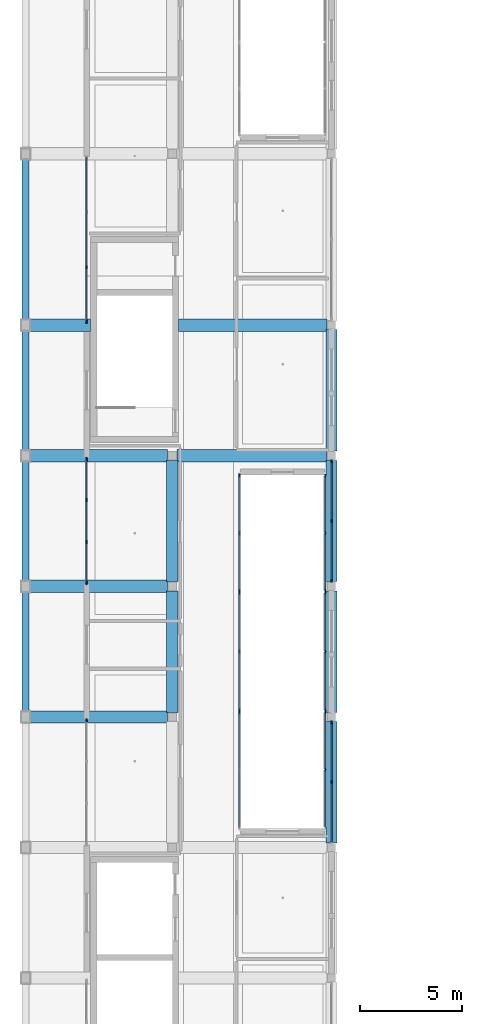
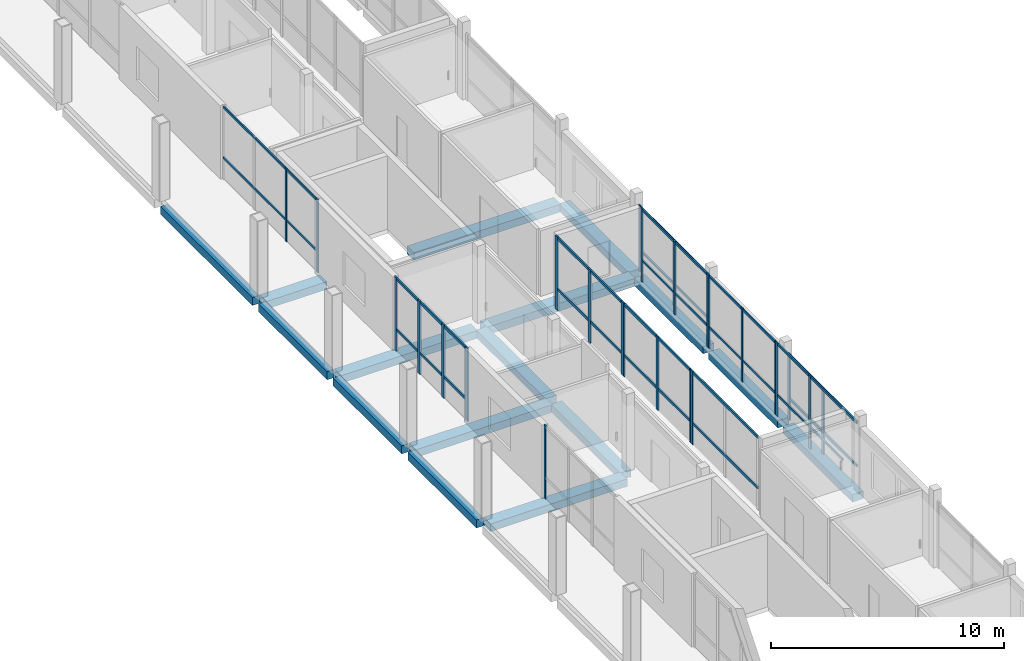
# One storey, part 3 of 24: 47 members, 16 beams, 11 elements without a shape of their own.
"""IFC4 building model written with IfcOpenShell, lengths in metres."""

import ifcopenshell
import ifcopenshell.guid

model = None  # the IFC model being written
_history = None  # IfcOwnerHistory: only IFC2X3 demands one
_inside = {}  # id of a spatial element -> (the spatial element, [elements in it])
_under = {}  # id of a project, library or spatial element -> (it, [spatial elements below it])
_declared = {}  # id of a project -> (the project, [libraries it declares])
_typed = {}  # id of a type object -> (the type object, [elements of that type])
_made_of = {}  # id of a material, layer set ... -> (it, [elements and type objects made of it])


def new_model(schema):
    """Start an empty IFC model of exactly this schema.

    Asked for "IFC4X3", IfcOpenShell would pick the latest addendum, in which some entities
    have other attributes; the version numbers below select the first issue.
    IFC2X3 requires an IfcOwnerHistory on every rooted entity: one is made here for all.
    """
    global model, _history
    if schema == "IFC4X3":
        model = ifcopenshell.file(schema_version=(4, 3, 0, 0))
    else:
        model = ifcopenshell.file(schema=schema)
    _inside.clear()
    _under.clear()
    _declared.clear()
    _typed.clear()
    _made_of.clear()
    _history = None
    if model.schema == "IFC2X3":
        org = make("IfcOrganization", Name="unknown")
        user = make(
            "IfcPersonAndOrganization",
            ThePerson=make("IfcPerson", FamilyName="unknown"),
            TheOrganization=org,
        )
        app = make(
            "IfcApplication",
            ApplicationDeveloper=org,
            Version="unknown",
            ApplicationFullName="unknown",
            ApplicationIdentifier="unknown",
        )
        _history = make(
            "IfcOwnerHistory",
            OwningUser=user,
            OwningApplication=app,
            ChangeAction="ADDED",
            CreationDate=0,
        )
    return model


def make(cls, **values):
    """One entity of the class cls with the attributes given. An attribute that is None is left unset."""
    return model.create_entity(
        cls, **{name: value for name, value in values.items() if value is not None}
    )


def rooted(cls, **values):
    """An entity with a GlobalId (a new one), such as an element, a storey or a relation."""
    return make(cls, GlobalId=ifcopenshell.guid.new(), OwnerHistory=_history, **values)


def si_unit(unit_type, name, prefix=None):
    """IfcSIUnit, for example si_unit("LENGTHUNIT", "METRE", prefix="MILLI")."""
    return make("IfcSIUnit", UnitType=unit_type, Prefix=prefix, Name=name)


def derived_unit(unit_type, elements):
    """IfcDerivedUnit: a product of units, each with its exponent."""
    return make(
        "IfcDerivedUnit",
        Elements=[
            make("IfcDerivedUnitElement", Unit=unit, Exponent=power)
            for unit, power in elements
        ],
        UnitType=unit_type,
    )


def assignment(units):
    """IfcUnitAssignment: the units of a project."""
    return None if units is None else make("IfcUnitAssignment", Units=units)


def point(xyz):
    """IfcCartesianPoint."""
    return None if xyz is None else make("IfcCartesianPoint", Coordinates=xyz)


def direction(xyz):
    """IfcDirection."""
    return None if xyz is None else make("IfcDirection", DirectionRatios=xyz)


def frame(location, z_axis=None, x_axis=None):
    """IfcAxis2Placement3D, a coordinate frame: its origin and axes. An axis left out is left unset."""
    return make(
        "IfcAxis2Placement3D",
        Location=point(location),
        Axis=direction(z_axis),
        RefDirection=direction(x_axis),
    )


def frame_2d(location, x_axis=None):
    """IfcAxis2Placement2D, a coordinate frame in the plane: its origin and x axis."""
    return make(
        "IfcAxis2Placement2D", Location=point(location), RefDirection=direction(x_axis)
    )


def origin():
    """The frame at (0, 0, 0) with its axes left unset."""
    return frame((0.0, 0.0, 0.0))


def origin_2d():
    """The frame at (0, 0) in the plane with its x axis left unset."""
    return frame_2d((0.0, 0.0))


def place(relative_to, where):
    """IfcLocalPlacement: puts the frame where relative to a parent placement (None: the world)."""
    return make(
        "IfcLocalPlacement", PlacementRelTo=relative_to, RelativePlacement=where
    )


def context(
    kind, dimensions, precision=None, world=None, true_north=None, identifier=None
):
    """IfcGeometricRepresentationContext, for example the 3D "Model" context."""
    return make(
        "IfcGeometricRepresentationContext",
        ContextIdentifier=identifier,
        ContextType=kind,
        CoordinateSpaceDimension=dimensions,
        Precision=precision,
        WorldCoordinateSystem=world,
        TrueNorth=true_north,
    )


def subcontext(parent, identifier, kind, view, scale=None):
    """IfcGeometricRepresentationSubContext, for example "Body" below "Model"."""
    return make(
        "IfcGeometricRepresentationSubContext",
        ContextIdentifier=identifier,
        ContextType=kind,
        ParentContext=parent,
        TargetScale=scale,
        TargetView=view,
    )


def project(units=None, contexts=None):
    """IfcProject with its units and contexts."""
    return rooted(
        "IfcProject",
        Name="project",
        RepresentationContexts=contexts,
        UnitsInContext=assignment(units),
    )


def spatial(cls, under=None, at=None, **own):
    """A site, building, storey or space (cls), placed at a placement, below another one or the project."""
    s = rooted(cls, ObjectPlacement=at, **own)
    if under is not None:
        _under.setdefault(under.id(), (under, []))[1].append(s)
    return s


def profile(cls, at=None, kind="AREA", **sizes):
    """A parametric profile (cls). Its sizes go by their IFC names, for example OverallWidth=200.0."""
    return make(cls, ProfileType=kind, Position=at, **sizes)


def rectangle(**sizes):
    """IfcRectangleProfileDef."""
    return profile("IfcRectangleProfileDef", **sizes)


def extrude(swept, where, along, depth):
    """IfcExtrudedAreaSolid: the profile swept, set in the frame where, extruded along a direction by depth."""
    return make(
        "IfcExtrudedAreaSolid",
        SweptArea=swept,
        Position=where,
        ExtrudedDirection=direction(along),
        Depth=depth,
    )


def shape(context_of_items, identifier, shape_type, items):
    """IfcShapeRepresentation: the items that make up one representation, for example the "Body"."""
    return make(
        "IfcShapeRepresentation",
        ContextOfItems=context_of_items,
        RepresentationIdentifier=identifier,
        RepresentationType=shape_type,
        Items=items,
    )


def material(Name=None, Category=None):
    """IfcMaterial."""
    return make("IfcMaterial", Name=Name, Category=Category)


def material_profile(
    of_material, cross_section, Name=None, Category=None, Priority=None
):
    """IfcMaterialProfile: a cross section and its material."""
    return make(
        "IfcMaterialProfile",
        Name=Name,
        Material=of_material,
        Profile=cross_section,
        Priority=Priority,
        Category=Category,
    )


def profile_set(profiles, Name=None, composite=None):
    """IfcMaterialProfileSet."""
    return make(
        "IfcMaterialProfileSet",
        Name=Name,
        MaterialProfiles=profiles,
        CompositeProfile=composite,
    )


def made_of(thing, what):
    """Note that an element or type object is made of a material, layer set ...; save() writes the relation."""
    if what is not None:
        _made_of.setdefault(what.id(), (what, []))[1].append(thing)
    return thing


def type_object(cls, material=None, **own):
    """A type object (cls), such as IfcWallType, which elements share."""
    return made_of(rooted(cls, **own), material)


def element(
    cls,
    number,
    at=None,
    inside=None,
    cuts=None,
    type_object=None,
    material=None,
    context=None,
    identifier="Body",
    shape_type=None,
    held_by="IfcProductDefinitionShape",
    body=None,
    shapes=None,
    **own,
):
    """One element of the class cls, such as IfcWall. Its Tag is "e" and its number.

    at: its placement. inside: the storey or other place that contains it. cuts: it is an
    opening in that element (IfcRelVoidsElement). A single representation is given by context,
    identifier, shape_type and body (its items); several are given by shapes. held_by: the class
    of the entity that holds the representations. save() writes the other relations.
    """
    e = rooted(cls, Tag="e%d" % number, ObjectPlacement=at, **own)
    if body is not None:
        shapes = [shape(context, identifier, shape_type, body)]
    if shapes is not None:
        e.Representation = make(held_by, Representations=shapes)
    if inside is not None:
        _inside.setdefault(inside.id(), (inside, []))[1].append(e)
    if cuts is not None:
        rooted(
            "IfcRelVoidsElement", RelatingBuildingElement=cuts, RelatedOpeningElement=e
        )
    if type_object is not None:
        _typed.setdefault(type_object.id(), (type_object, []))[1].append(e)
    return made_of(e, material)


def aggregate(whole, parts):
    """IfcRelAggregates: a whole, such as a stair, and the parts it consists of."""
    return rooted("IfcRelAggregates", RelatingObject=whole, RelatedObjects=parts)


def save(model, path):
    """Write the relations noted so far, then the file.

    IfcRelAggregates (storeys below a building ...), IfcRelContainedInSpatialStructure (elements
    in a storey), IfcRelDefinesByType, IfcRelAssociatesMaterial and IfcRelDeclares: one each for
    every whole, place, type object, material and project.
    """
    for whole, parts in _under.values():
        aggregate(whole, parts)
    for where, things in _inside.values():
        rooted(
            "IfcRelContainedInSpatialStructure",
            RelatedElements=things,
            RelatingStructure=where,
        )
    for kind, things in _typed.values():
        rooted("IfcRelDefinesByType", RelatedObjects=things, RelatingType=kind)
    for what, things in _made_of.values():
        rooted("IfcRelAssociatesMaterial", RelatedObjects=things, RelatingMaterial=what)
    for by, libraries in _declared.values():
        rooted("IfcRelDeclares", RelatingContext=by, RelatedDefinitions=libraries)
    model.write(path)


model = new_model("IFC4")

# Units and contexts
model_context = context("Model", 3, precision=1e-05, world=origin(), true_north=direction((0.0, 1.0)))
body_context = subcontext(model_context, "Body", "Model", "MODEL_VIEW")
ifc_project = project(units=[si_unit("LENGTHUNIT", "METRE"), si_unit("AREAUNIT", "SQUARE_METRE"), si_unit("VOLUMEUNIT", "CUBIC_METRE"), si_unit("PLANEANGLEUNIT", "RADIAN"), si_unit("MASSUNIT", "GRAM", prefix="KILO"), derived_unit("THERMALTRANSMITTANCEUNIT", [(si_unit("POWERUNIT", "WATT"), 1), (si_unit("LENGTHUNIT", "METRE"), -2), (si_unit("THERMODYNAMICTEMPERATUREUNIT", "KELVIN"), -1)])], contexts=[model_context])

# Site, building, storey
site_placement = place(None, origin())
site = spatial("IfcSite", under=ifc_project, at=site_placement, CompositionType="ELEMENT")
building_placement = place(site_placement, origin())
building = spatial("IfcBuilding", under=site, at=building_placement, Name="Braskholm Square Health Centre", CompositionType="ELEMENT")
storey_placement = place(building_placement, frame((0.0, 0.0, 21.60009765625)))
storey = spatial("IfcBuildingStorey", under=building, at=storey_placement, Name="L06", CompositionType="ELEMENT", Elevation=21.60009765625)

# Curtain wall, member
ifc_material_1 = material(Name="Low-E triple insulating glass (VLT 0.64)", Category="glass")
curtain_wall_type_1 = type_object("IfcCurtainWallType", Name="UnitisedCurtainWall6200x3800", PredefinedType="NOTDEFINED", material=ifc_material_1)
curtain_wall_1_placement = place(storey_placement, origin())
curtain_wall_1 = element("IfcCurtainWall", 1, at=curtain_wall_1_placement, inside=storey, type_object=curtain_wall_type_1, Name="West Crown unitised curtain wall CW-L06-0040", PredefinedType="NOTDEFINED")
ifc_material_2 = material(Name="Architectural bronze anodised aluminium", Category="aluminium")
ifc_material_profile_1 = material_profile(ifc_material_2, rectangle(XDim=0.06494140625, YDim=0.14990234375, at=origin_2d()), Name="ALU-65X150")
ifc_profile_set_1 = profile_set([ifc_material_profile_1], Name="Architectural bronze anodised aluminium")
member_type_1 = type_object("IfcMemberType", Name="CurtainWallMullion65x150", PredefinedType="MULLION", material=ifc_profile_set_1)
member_1_placement = place(storey_placement, frame((7.199951171875, 36.04296875, 0.0), z_axis=(0.0, 0.0, 1.0), x_axis=(1.0, 0.0, 0.0)))
member_1 = element("IfcMember", 2, at=member_1_placement, type_object=member_type_1, Name="CW-L06-0040 vertical mullion 1", PredefinedType="MULLION", context=body_context, shape_type="SweptSolid", body=[
    extrude(rectangle(XDim=0.06494140625, YDim=0.14990234375, at=origin_2d()), origin(), (0.0, 0.0, 1.0), 3.83984375),
])
aggregate(curtain_wall_1, [member_1])

# Curtain wall, members
curtain_wall_2_placement = place(storey_placement, origin())
curtain_wall_2 = element("IfcCurtainWall", 3, at=curtain_wall_2_placement, inside=storey, type_object=curtain_wall_type_1, Name="West Crown unitised curtain wall CW-L06-0042", PredefinedType="NOTDEFINED")
member_2_placement = place(storey_placement, frame((7.199951171875, 58.239990234375, 0.0), z_axis=(0.0, 0.0, 1.0), x_axis=(1.0, 0.0, 0.0)))
member_2 = element("IfcMember", 4, at=member_2_placement, type_object=member_type_1, Name="CW-L06-0042 vertical mullion 3", PredefinedType="MULLION", context=body_context, shape_type="SweptSolid", body=[
    extrude(rectangle(XDim=0.06494140625, YDim=0.14990234375, at=origin_2d()), origin(), (0.0, 0.0, 1.0), 3.83984375),
])
member_3_placement = place(storey_placement, frame((7.199951171875, 55.569091796875, 0.0), z_axis=(0.0, 0.0, 1.0), x_axis=(1.0, 0.0, 0.0)))
member_3 = element("IfcMember", 5, at=member_3_placement, type_object=member_type_1, Name="CW-L06-0042 vertical mullion 4", PredefinedType="MULLION", context=body_context, shape_type="SweptSolid", body=[
    extrude(rectangle(XDim=0.06494140625, YDim=0.14990234375, at=origin_2d()), origin(), (0.0, 0.0, 1.0), 3.83984375),
])

curtain_wall_type_2 = type_object("IfcCurtainWallType", Name="UnitisedCurtainWall6200x3650", PredefinedType="NOTDEFINED", material=ifc_material_1)
curtain_wall_3_placement = place(storey_placement, origin())
curtain_wall_3 = element("IfcCurtainWall", 6, at=curtain_wall_3_placement, inside=storey, type_object=curtain_wall_type_2, Name="West Valley unitised curtain wall CW-L06-0112", PredefinedType="NOTDEFINED")
member_4_placement = place(storey_placement, frame((19.199951171875, 42.87548828125, 0.0), z_axis=(0.0, 0.0, 1.0), x_axis=(1.0, 0.0, 0.0)))
member_4 = element("IfcMember", 7, at=member_4_placement, type_object=member_type_1, Name="CW-L06-0112 vertical mullion 1", PredefinedType="MULLION", context=body_context, shape_type="SweptSolid", body=[
    extrude(rectangle(XDim=0.06494140625, YDim=0.14990234375, at=origin_2d()), origin(), (0.0, 0.0, 1.0), 3.4599609375),
])
member_5_placement = place(storey_placement, frame((19.199951171875, 45.800048828125, 0.0), z_axis=(0.0, 0.0, 1.0), x_axis=(1.0, 0.0, 0.0)))
member_5 = element("IfcMember", 8, at=member_5_placement, type_object=member_type_1, Name="CW-L06-0112 vertical mullion 2", PredefinedType="MULLION", context=body_context, shape_type="SweptSolid", body=[
    extrude(rectangle(XDim=0.06494140625, YDim=0.14990234375, at=origin_2d()), origin(), (0.0, 0.0, 1.0), 3.4599609375),
])
member_6_placement = place(storey_placement, frame((19.199951171875, 48.724609375, 0.0), z_axis=(0.0, 0.0, 1.0), x_axis=(1.0, 0.0, 0.0)))
member_6 = element("IfcMember", 9, at=member_6_placement, type_object=member_type_1, Name="CW-L06-0112 vertical mullion 3", PredefinedType="MULLION", context=body_context, shape_type="SweptSolid", body=[
    extrude(rectangle(XDim=0.06494140625, YDim=0.14990234375, at=origin_2d()), origin(), (0.0, 0.0, 1.0), 3.4599609375),
])

curtain_wall_type_3 = type_object("IfcCurtainWallType", Name="UnitisedCurtainWall5400x3800", PredefinedType="NOTDEFINED", material=ifc_material_1)
curtain_wall_4_placement = place(storey_placement, origin())
curtain_wall_4 = element("IfcCurtainWall", 10, at=curtain_wall_4_placement, inside=storey, type_object=curtain_wall_type_3, Name="WC1 Court E unitised curtain wall CW-L06-0280", PredefinedType="NOTDEFINED")
member_7_placement = place(storey_placement, frame((18.89990234375, 36.427734375, 0.0), z_axis=(0.0, 0.0, 1.0), x_axis=(1.0, 0.0, 0.0)))
member_7 = element("IfcMember", 11, at=member_7_placement, type_object=member_type_1, Name="CW-L06-0280 vertical mullion 1", PredefinedType="MULLION", context=body_context, shape_type="SweptSolid", body=[
    extrude(rectangle(XDim=0.06494140625, YDim=0.14990234375, at=origin_2d()), origin(), (0.0, 0.0, 1.0), 3.83984375),
])
member_8_placement = place(storey_placement, frame((18.89990234375, 33.60107421875, 0.0), z_axis=(0.0, 0.0, 1.0), x_axis=(1.0, 0.0, 0.0)))
member_8 = element("IfcMember", 12, at=member_8_placement, type_object=member_type_1, Name="CW-L06-0280 vertical mullion 2", PredefinedType="MULLION", context=body_context, shape_type="SweptSolid", body=[
    extrude(rectangle(XDim=0.06494140625, YDim=0.14990234375, at=origin_2d()), origin(), (0.0, 0.0, 1.0), 3.83984375),
])

curtain_wall_5_placement = place(storey_placement, origin())
curtain_wall_5 = element("IfcCurtainWall", 13, at=curtain_wall_5_placement, inside=storey, type_object=curtain_wall_type_1, Name="WC1 Court E unitised curtain wall CW-L06-0282", PredefinedType="NOTDEFINED")
member_9_placement = place(storey_placement, frame((18.89990234375, 42.29296875, 0.0), z_axis=(0.0, 0.0, 1.0), x_axis=(1.0, 0.0, 0.0)))
member_9 = element("IfcMember", 14, at=member_9_placement, type_object=member_type_1, Name="CW-L06-0282 vertical mullion 1", PredefinedType="MULLION", context=body_context, shape_type="SweptSolid", body=[
    extrude(rectangle(XDim=0.06494140625, YDim=0.14990234375, at=origin_2d()), origin(), (0.0, 0.0, 1.0), 3.83984375),
])
member_10_placement = place(storey_placement, frame((18.89990234375, 39.39990234375, 0.0), z_axis=(0.0, 0.0, 1.0), x_axis=(1.0, 0.0, 0.0)))
member_10 = element("IfcMember", 15, at=member_10_placement, type_object=member_type_1, Name="CW-L06-0282 vertical mullion 2", PredefinedType="MULLION", context=body_context, shape_type="SweptSolid", body=[
    extrude(rectangle(XDim=0.06494140625, YDim=0.14990234375, at=origin_2d()), origin(), (0.0, 0.0, 1.0), 3.83984375),
])
member_11_placement = place(storey_placement, frame((18.89990234375, 36.507080078125, 0.0), z_axis=(0.0, 0.0, 1.0), x_axis=(1.0, 0.0, 0.0)))
member_11 = element("IfcMember", 16, at=member_11_placement, type_object=member_type_1, Name="CW-L06-0282 vertical mullion 3", PredefinedType="MULLION", context=body_context, shape_type="SweptSolid", body=[
    extrude(rectangle(XDim=0.06494140625, YDim=0.14990234375, at=origin_2d()), origin(), (0.0, 0.0, 1.0), 3.83984375),
])

curtain_wall_6_placement = place(storey_placement, origin())
curtain_wall_6 = element("IfcCurtainWall", 17, at=curtain_wall_6_placement, inside=storey, type_object=curtain_wall_type_3, Name="WC1 Court E unitised curtain wall CW-L06-0284", PredefinedType="NOTDEFINED")
member_12_placement = place(storey_placement, frame((18.89990234375, 48.025634765625, 0.0), z_axis=(0.0, 0.0, 1.0), x_axis=(1.0, 0.0, 0.0)))
member_12 = element("IfcMember", 18, at=member_12_placement, type_object=member_type_1, Name="CW-L06-0284 vertical mullion 1", PredefinedType="MULLION", context=body_context, shape_type="SweptSolid", body=[
    extrude(rectangle(XDim=0.06494140625, YDim=0.14990234375, at=origin_2d()), origin(), (0.0, 0.0, 1.0), 3.83984375),
])
member_13_placement = place(storey_placement, frame((18.89990234375, 45.198974609375, 0.0), z_axis=(0.0, 0.0, 1.0), x_axis=(1.0, 0.0, 0.0)))
member_13 = element("IfcMember", 19, at=member_13_placement, type_object=member_type_1, Name="CW-L06-0284 vertical mullion 2", PredefinedType="MULLION", context=body_context, shape_type="SweptSolid", body=[
    extrude(rectangle(XDim=0.06494140625, YDim=0.14990234375, at=origin_2d()), origin(), (0.0, 0.0, 1.0), 3.83984375),
])
member_14_placement = place(storey_placement, frame((18.89990234375, 42.372314453125, 0.0), z_axis=(0.0, 0.0, 1.0), x_axis=(1.0, 0.0, 0.0)))
member_14 = element("IfcMember", 20, at=member_14_placement, type_object=member_type_1, Name="CW-L06-0284 vertical mullion 3", PredefinedType="MULLION", context=body_context, shape_type="SweptSolid", body=[
    extrude(rectangle(XDim=0.06494140625, YDim=0.14990234375, at=origin_2d()), origin(), (0.0, 0.0, 1.0), 3.83984375),
])

curtain_wall_7_placement = place(storey_placement, origin())
curtain_wall_7 = element("IfcCurtainWall", 21, at=curtain_wall_7_placement, inside=storey, type_object=curtain_wall_type_1, Name="West Crown unitised curtain wall CW-L06-0041", PredefinedType="NOTDEFINED")
ifc_material_profile_2 = material_profile(ifc_material_2, rectangle(XDim=0.074951171875, YDim=0.179931640625, at=origin_2d()), Name="ALU-75X180")
ifc_profile_set_2 = profile_set([ifc_material_profile_2], Name="Architectural bronze anodised aluminium")
member_type_2 = type_object("IfcMemberType", Name="CurtainWallMullion75x180", PredefinedType="MULLION", material=ifc_profile_set_2)
member_15_placement = place(storey_placement, frame((7.199951171875, 48.843017578125, 0.0), z_axis=(0.0, 0.0, 1.0), x_axis=(1.0, 0.0, 0.0)))
member_15 = element("IfcMember", 22, at=member_15_placement, type_object=member_type_2, Name="CW-L06-0041 vertical mullion 1", PredefinedType="MULLION", context=body_context, shape_type="SweptSolid", body=[
    extrude(rectangle(XDim=0.074951171875, YDim=0.179931640625, at=origin_2d()), origin(), (0.0, 0.0, 1.0), 3.83984375),
])
member_16_placement = place(storey_placement, frame((7.199951171875, 46.82666015625, 0.0), z_axis=(0.0, 0.0, 1.0), x_axis=(1.0, 0.0, 0.0)))
member_16 = element("IfcMember", 23, at=member_16_placement, type_object=member_type_2, Name="CW-L06-0041 vertical mullion 2", PredefinedType="MULLION", context=body_context, shape_type="SweptSolid", body=[
    extrude(rectangle(XDim=0.074951171875, YDim=0.179931640625, at=origin_2d()), origin(), (0.0, 0.0, 1.0), 3.83984375),
])
member_17_placement = place(storey_placement, frame((7.199951171875, 44.773193359375, 0.0), z_axis=(0.0, 0.0, 1.0), x_axis=(1.0, 0.0, 0.0)))
member_17 = element("IfcMember", 24, at=member_17_placement, type_object=member_type_2, Name="CW-L06-0041 vertical mullion 3", PredefinedType="MULLION", context=body_context, shape_type="SweptSolid", body=[
    extrude(rectangle(XDim=0.074951171875, YDim=0.179931640625, at=origin_2d()), origin(), (0.0, 0.0, 1.0), 3.83984375),
])
member_18_placement = place(storey_placement, frame((7.199951171875, 42.757080078125, 0.0), z_axis=(0.0, 0.0, 1.0), x_axis=(1.0, 0.0, 0.0)))
member_18 = element("IfcMember", 25, at=member_18_placement, type_object=member_type_2, Name="CW-L06-0041 vertical mullion 4", PredefinedType="MULLION", context=body_context, shape_type="SweptSolid", body=[
    extrude(rectangle(XDim=0.074951171875, YDim=0.179931640625, at=origin_2d()), origin(), (0.0, 0.0, 1.0), 3.83984375),
])

curtain_wall_8_placement = place(storey_placement, origin())
curtain_wall_8 = element("IfcCurtainWall", 26, at=curtain_wall_8_placement, inside=storey, type_object=curtain_wall_type_2, Name="West Valley unitised curtain wall CW-L06-0111", PredefinedType="NOTDEFINED")
member_19_placement = place(storey_placement, frame((19.199951171875, 33.0, 0.0), z_axis=(0.0, 0.0, 1.0), x_axis=(1.0, 0.0, 0.0)))
member_19 = element("IfcMember", 27, at=member_19_placement, type_object=member_type_2, Name="CW-L06-0111 vertical mullion 2", PredefinedType="MULLION", context=body_context, shape_type="SweptSolid", body=[
    extrude(rectangle(XDim=0.074951171875, YDim=0.179931640625, at=origin_2d()), origin(), (0.0, 0.0, 1.0), 3.4599609375),
])
member_20_placement = place(storey_placement, frame((19.199951171875, 35.924560546875, 0.0), z_axis=(0.0, 0.0, 1.0), x_axis=(1.0, 0.0, 0.0)))
member_20 = element("IfcMember", 28, at=member_20_placement, type_object=member_type_2, Name="CW-L06-0111 vertical mullion 3", PredefinedType="MULLION", context=body_context, shape_type="SweptSolid", body=[
    extrude(rectangle(XDim=0.074951171875, YDim=0.179931640625, at=origin_2d()), origin(), (0.0, 0.0, 1.0), 3.4599609375),
])

# Curtain wall, member
curtain_wall_9_placement = place(storey_placement, origin())
curtain_wall_9 = element("IfcCurtainWall", 29, at=curtain_wall_9_placement, inside=storey, type_object=curtain_wall_type_3, Name="WC1 Court W unitised curtain wall CW-L06-0279", PredefinedType="NOTDEFINED")
member_21_placement = place(storey_placement, frame((14.699951171875, 36.427734375, 0.0), z_axis=(0.0, 0.0, 1.0), x_axis=(1.0, 0.0, 0.0)))
member_21 = element("IfcMember", 30, at=member_21_placement, type_object=member_type_2, Name="CW-L06-0279 vertical mullion 3", PredefinedType="MULLION", context=body_context, shape_type="SweptSolid", body=[
    extrude(rectangle(XDim=0.074951171875, YDim=0.179931640625, at=origin_2d()), origin(), (0.0, 0.0, 1.0), 3.83984375),
])

# Curtain wall, members
curtain_wall_10_placement = place(storey_placement, origin())
curtain_wall_10 = element("IfcCurtainWall", 31, at=curtain_wall_10_placement, inside=storey, type_object=curtain_wall_type_1, Name="WC1 Court W unitised curtain wall CW-L06-0281", PredefinedType="NOTDEFINED")
member_22_placement = place(storey_placement, frame((14.699951171875, 36.507080078125, 0.0), z_axis=(0.0, 0.0, 1.0), x_axis=(1.0, 0.0, 0.0)))
member_22 = element("IfcMember", 32, at=member_22_placement, type_object=member_type_2, Name="CW-L06-0281 vertical mullion 1", PredefinedType="MULLION", context=body_context, shape_type="SweptSolid", body=[
    extrude(rectangle(XDim=0.074951171875, YDim=0.179931640625, at=origin_2d()), origin(), (0.0, 0.0, 1.0), 3.83984375),
])
member_23_placement = place(storey_placement, frame((14.699951171875, 39.39990234375, 0.0), z_axis=(0.0, 0.0, 1.0), x_axis=(1.0, 0.0, 0.0)))
member_23 = element("IfcMember", 33, at=member_23_placement, type_object=member_type_2, Name="CW-L06-0281 vertical mullion 2", PredefinedType="MULLION", context=body_context, shape_type="SweptSolid", body=[
    extrude(rectangle(XDim=0.074951171875, YDim=0.179931640625, at=origin_2d()), origin(), (0.0, 0.0, 1.0), 3.83984375),
])
member_24_placement = place(storey_placement, frame((14.699951171875, 42.29296875, 0.0), z_axis=(0.0, 0.0, 1.0), x_axis=(1.0, 0.0, 0.0)))
member_24 = element("IfcMember", 34, at=member_24_placement, type_object=member_type_2, Name="CW-L06-0281 vertical mullion 3", PredefinedType="MULLION", context=body_context, shape_type="SweptSolid", body=[
    extrude(rectangle(XDim=0.074951171875, YDim=0.179931640625, at=origin_2d()), origin(), (0.0, 0.0, 1.0), 3.83984375),
])

curtain_wall_11_placement = place(storey_placement, origin())
curtain_wall_11 = element("IfcCurtainWall", 35, at=curtain_wall_11_placement, inside=storey, type_object=curtain_wall_type_3, Name="WC1 Court W unitised curtain wall CW-L06-0283", PredefinedType="NOTDEFINED")
member_25_placement = place(storey_placement, frame((14.699951171875, 42.372314453125, 0.0), z_axis=(0.0, 0.0, 1.0), x_axis=(1.0, 0.0, 0.0)))
member_25 = element("IfcMember", 36, at=member_25_placement, type_object=member_type_2, Name="CW-L06-0283 vertical mullion 1", PredefinedType="MULLION", context=body_context, shape_type="SweptSolid", body=[
    extrude(rectangle(XDim=0.074951171875, YDim=0.179931640625, at=origin_2d()), origin(), (0.0, 0.0, 1.0), 3.83984375),
])
member_26_placement = place(storey_placement, frame((14.699951171875, 45.198974609375, 0.0), z_axis=(0.0, 0.0, 1.0), x_axis=(1.0, 0.0, 0.0)))
member_26 = element("IfcMember", 37, at=member_26_placement, type_object=member_type_2, Name="CW-L06-0283 vertical mullion 2", PredefinedType="MULLION", context=body_context, shape_type="SweptSolid", body=[
    extrude(rectangle(XDim=0.074951171875, YDim=0.179931640625, at=origin_2d()), origin(), (0.0, 0.0, 1.0), 3.83984375),
])
member_27_placement = place(storey_placement, frame((14.699951171875, 48.025634765625, 0.0), z_axis=(0.0, 0.0, 1.0), x_axis=(1.0, 0.0, 0.0)))
member_27 = element("IfcMember", 38, at=member_27_placement, type_object=member_type_2, Name="CW-L06-0283 vertical mullion 3", PredefinedType="MULLION", context=body_context, shape_type="SweptSolid", body=[
    extrude(rectangle(XDim=0.074951171875, YDim=0.179931640625, at=origin_2d()), origin(), (0.0, 0.0, 1.0), 3.83984375),
])

# Member
ifc_material_profile_3 = material_profile(ifc_material_2, rectangle(XDim=0.06494140625, YDim=0.1201171875, at=origin_2d()), Name="ALU-65X120")
ifc_profile_set_3 = profile_set([ifc_material_profile_3], Name="Architectural bronze anodised aluminium")
member_type_3 = type_object("IfcMemberType", Name="CurtainWallTransom65x120", PredefinedType="USERDEFINED", material=ifc_profile_set_3)
member_28_placement = place(storey_placement, frame((7.199951171875, 63.635009765625, 1.119873046875), z_axis=(0.0, -1.0, 0.0), x_axis=(1.0, 0.0, 0.0)))
member_28 = element("IfcMember", 39, at=member_28_placement, type_object=member_type_3, Name="CW-L06-0042 horizontal transom 1", ObjectType="TRANSOM", PredefinedType="USERDEFINED", context=body_context, shape_type="SweptSolid", body=[
    extrude(rectangle(XDim=0.06494140625, YDim=0.1201171875, at=origin_2d()), origin(), (0.0, 0.0, 1.0), 8.070068359375),
])

member_29_placement = place(storey_placement, frame((7.199951171875, 63.635009765625, 3.77001953125), z_axis=(0.0, -1.0, 0.0), x_axis=(1.0, 0.0, 0.0)))
member_29 = element("IfcMember", 40, at=member_29_placement, type_object=member_type_3, Name="CW-L06-0042 horizontal transom 2", ObjectType="TRANSOM", PredefinedType="USERDEFINED", context=body_context, shape_type="SweptSolid", body=[
    extrude(rectangle(XDim=0.06494140625, YDim=0.1201171875, at=origin_2d()), origin(), (0.0, 0.0, 1.0), 8.070068359375),
])

aggregate(curtain_wall_2, [member_2, member_3, member_28, member_29])

member_30_placement = place(storey_placement, frame((19.199951171875, 42.885009765625, 1.119873046875), z_axis=(0.0, 1.0, 0.0), x_axis=(-1.0, 0.0, 0.0)))
member_30 = element("IfcMember", 41, at=member_30_placement, type_object=member_type_3, Name="CW-L06-0112 horizontal transom 1", ObjectType="TRANSOM", PredefinedType="USERDEFINED", context=body_context, shape_type="SweptSolid", body=[
    extrude(rectangle(XDim=0.06494140625, YDim=0.1201171875, at=origin_2d()), origin(), (0.0, 0.0, 1.0), 5.830078125),
])

member_31_placement = place(storey_placement, frame((19.199951171875, 42.885009765625, 3.389892578125), z_axis=(0.0, 1.0, 0.0), x_axis=(-1.0, 0.0, 0.0)))
member_31 = element("IfcMember", 42, at=member_31_placement, type_object=member_type_3, Name="CW-L06-0112 horizontal transom 2", ObjectType="TRANSOM", PredefinedType="USERDEFINED", context=body_context, shape_type="SweptSolid", body=[
    extrude(rectangle(XDim=0.06494140625, YDim=0.1201171875, at=origin_2d()), origin(), (0.0, 0.0, 1.0), 5.830078125),
])

aggregate(curtain_wall_3, [member_4, member_5, member_6, member_30, member_31])

member_32_placement = place(storey_placement, frame((18.89990234375, 36.4169921875, 1.119873046875), z_axis=(0.0, -1.0, 0.0), x_axis=(1.0, 0.0, 0.0)))
member_32 = element("IfcMember", 43, at=member_32_placement, type_object=member_type_3, Name="CW-L06-0280 horizontal transom 1", ObjectType="TRANSOM", PredefinedType="USERDEFINED", context=body_context, shape_type="SweptSolid", body=[
    extrude(rectangle(XDim=0.06494140625, YDim=0.1201171875, at=origin_2d()), origin(), (0.0, 0.0, 1.0), 5.632080078125),
])

member_33_placement = place(storey_placement, frame((18.89990234375, 36.4169921875, 3.77001953125), z_axis=(0.0, -1.0, 0.0), x_axis=(1.0, 0.0, 0.0)))
member_33 = element("IfcMember", 44, at=member_33_placement, type_object=member_type_3, Name="CW-L06-0280 horizontal transom 2", ObjectType="TRANSOM", PredefinedType="USERDEFINED", context=body_context, shape_type="SweptSolid", body=[
    extrude(rectangle(XDim=0.06494140625, YDim=0.1201171875, at=origin_2d()), origin(), (0.0, 0.0, 1.0), 5.632080078125),
])

aggregate(curtain_wall_4, [member_7, member_8, member_32, member_33])

member_34_placement = place(storey_placement, frame((18.89990234375, 42.282958984375, 1.119873046875), z_axis=(0.0, -1.0, 0.0), x_axis=(1.0, 0.0, 0.0)))
member_34 = element("IfcMember", 45, at=member_34_placement, type_object=member_type_3, Name="CW-L06-0282 horizontal transom 1", ObjectType="TRANSOM", PredefinedType="USERDEFINED", context=body_context, shape_type="SweptSolid", body=[
    extrude(rectangle(XDim=0.06494140625, YDim=0.1201171875, at=origin_2d()), origin(), (0.0, 0.0, 1.0), 5.765869140625),
])

member_35_placement = place(storey_placement, frame((18.89990234375, 42.282958984375, 3.77001953125), z_axis=(0.0, -1.0, 0.0), x_axis=(1.0, 0.0, 0.0)))
member_35 = element("IfcMember", 46, at=member_35_placement, type_object=member_type_3, Name="CW-L06-0282 horizontal transom 2", ObjectType="TRANSOM", PredefinedType="USERDEFINED", context=body_context, shape_type="SweptSolid", body=[
    extrude(rectangle(XDim=0.06494140625, YDim=0.1201171875, at=origin_2d()), origin(), (0.0, 0.0, 1.0), 5.765869140625),
])

aggregate(curtain_wall_5, [member_9, member_10, member_11, member_34, member_35])

member_36_placement = place(storey_placement, frame((18.89990234375, 48.014892578125, 1.119873046875), z_axis=(0.0, -1.0, 0.0), x_axis=(1.0, 0.0, 0.0)))
member_36 = element("IfcMember", 47, at=member_36_placement, type_object=member_type_3, Name="CW-L06-0284 horizontal transom 1", ObjectType="TRANSOM", PredefinedType="USERDEFINED", context=body_context, shape_type="SweptSolid", body=[
    extrude(rectangle(XDim=0.06494140625, YDim=0.1201171875, at=origin_2d()), origin(), (0.0, 0.0, 1.0), 5.6318359375),
])

member_37_placement = place(storey_placement, frame((18.89990234375, 48.014892578125, 3.77001953125), z_axis=(0.0, -1.0, 0.0), x_axis=(1.0, 0.0, 0.0)))
member_37 = element("IfcMember", 48, at=member_37_placement, type_object=member_type_3, Name="CW-L06-0284 horizontal transom 2", ObjectType="TRANSOM", PredefinedType="USERDEFINED", context=body_context, shape_type="SweptSolid", body=[
    extrude(rectangle(XDim=0.06494140625, YDim=0.1201171875, at=origin_2d()), origin(), (0.0, 0.0, 1.0), 5.6318359375),
])

aggregate(curtain_wall_6, [member_12, member_13, member_14, member_36, member_37])

ifc_material_profile_4 = material_profile(ifc_material_2, rectangle(XDim=0.074951171875, YDim=0.139892578125, at=origin_2d()), Name="ALU-75X140")
ifc_profile_set_4 = profile_set([ifc_material_profile_4], Name="Architectural bronze anodised aluminium")
member_type_4 = type_object("IfcMemberType", Name="CurtainWallTransom75x140", PredefinedType="USERDEFINED", material=ifc_profile_set_4)
member_38_placement = place(storey_placement, frame((7.199951171875, 48.8349609375, 1.119873046875), z_axis=(0.0, -1.0, 0.0), x_axis=(1.0, 0.0, 0.0)))
member_38 = element("IfcMember", 49, at=member_38_placement, type_object=member_type_4, Name="CW-L06-0041 horizontal transom 1", ObjectType="TRANSOM", PredefinedType="USERDEFINED", context=body_context, shape_type="SweptSolid", body=[
    extrude(rectangle(XDim=0.074951171875, YDim=0.139892578125, at=origin_2d()), origin(), (0.0, 0.0, 1.0), 6.070068359375),
])

member_39_placement = place(storey_placement, frame((7.199951171875, 48.8349609375, 3.77001953125), z_axis=(0.0, -1.0, 0.0), x_axis=(1.0, 0.0, 0.0)))
member_39 = element("IfcMember", 50, at=member_39_placement, type_object=member_type_4, Name="CW-L06-0041 horizontal transom 2", ObjectType="TRANSOM", PredefinedType="USERDEFINED", context=body_context, shape_type="SweptSolid", body=[
    extrude(rectangle(XDim=0.074951171875, YDim=0.139892578125, at=origin_2d()), origin(), (0.0, 0.0, 1.0), 6.070068359375),
])

aggregate(curtain_wall_7, [member_15, member_16, member_17, member_18, member_38, member_39])

member_40_placement = place(storey_placement, frame((19.199951171875, 30.0849609375, 1.119873046875), z_axis=(0.0, 1.0, 0.0), x_axis=(-1.0, 0.0, 0.0)))
member_40 = element("IfcMember", 51, at=member_40_placement, type_object=member_type_4, Name="CW-L06-0111 horizontal transom 1", ObjectType="TRANSOM", PredefinedType="USERDEFINED", context=body_context, shape_type="SweptSolid", body=[
    extrude(rectangle(XDim=0.074951171875, YDim=0.139892578125, at=origin_2d()), origin(), (0.0, 0.0, 1.0), 5.830078125),
])

member_41_placement = place(storey_placement, frame((19.199951171875, 30.0849609375, 3.389892578125), z_axis=(0.0, 1.0, 0.0), x_axis=(-1.0, 0.0, 0.0)))
member_41 = element("IfcMember", 52, at=member_41_placement, type_object=member_type_4, Name="CW-L06-0111 horizontal transom 2", ObjectType="TRANSOM", PredefinedType="USERDEFINED", context=body_context, shape_type="SweptSolid", body=[
    extrude(rectangle(XDim=0.074951171875, YDim=0.139892578125, at=origin_2d()), origin(), (0.0, 0.0, 1.0), 5.830078125),
])

aggregate(curtain_wall_8, [member_19, member_20, member_40, member_41])

member_42_placement = place(storey_placement, frame((14.699951171875, 30.784912109375, 1.119873046875), z_axis=(0.0, 1.0, 0.0), x_axis=(-1.0, 0.0, 0.0)))
member_42 = element("IfcMember", 53, at=member_42_placement, type_object=member_type_4, Name="CW-L06-0279 horizontal transom 1", ObjectType="TRANSOM", PredefinedType="USERDEFINED", context=body_context, shape_type="SweptSolid", body=[
    extrude(rectangle(XDim=0.074951171875, YDim=0.139892578125, at=origin_2d()), origin(), (0.0, 0.0, 1.0), 5.632080078125),
])

member_43_placement = place(storey_placement, frame((14.699951171875, 30.784912109375, 3.77001953125), z_axis=(0.0, 1.0, 0.0), x_axis=(-1.0, 0.0, 0.0)))
member_43 = element("IfcMember", 54, at=member_43_placement, type_object=member_type_4, Name="CW-L06-0279 horizontal transom 2", ObjectType="TRANSOM", PredefinedType="USERDEFINED", context=body_context, shape_type="SweptSolid", body=[
    extrude(rectangle(XDim=0.074951171875, YDim=0.139892578125, at=origin_2d()), origin(), (0.0, 0.0, 1.0), 5.632080078125),
])

aggregate(curtain_wall_9, [member_21, member_42, member_43])

member_44_placement = place(storey_placement, frame((14.699951171875, 36.51708984375, 1.119873046875), z_axis=(0.0, 1.0, 0.0), x_axis=(-1.0, 0.0, 0.0)))
member_44 = element("IfcMember", 55, at=member_44_placement, type_object=member_type_4, Name="CW-L06-0281 horizontal transom 1", ObjectType="TRANSOM", PredefinedType="USERDEFINED", context=body_context, shape_type="SweptSolid", body=[
    extrude(rectangle(XDim=0.074951171875, YDim=0.139892578125, at=origin_2d()), origin(), (0.0, 0.0, 1.0), 5.765869140625),
])

member_45_placement = place(storey_placement, frame((14.699951171875, 36.51708984375, 3.77001953125), z_axis=(0.0, 1.0, 0.0), x_axis=(-1.0, 0.0, 0.0)))
member_45 = element("IfcMember", 56, at=member_45_placement, type_object=member_type_4, Name="CW-L06-0281 horizontal transom 2", ObjectType="TRANSOM", PredefinedType="USERDEFINED", context=body_context, shape_type="SweptSolid", body=[
    extrude(rectangle(XDim=0.074951171875, YDim=0.139892578125, at=origin_2d()), origin(), (0.0, 0.0, 1.0), 5.765869140625),
])

aggregate(curtain_wall_10, [member_22, member_23, member_24, member_44, member_45])

member_46_placement = place(storey_placement, frame((14.699951171875, 42.383056640625, 1.119873046875), z_axis=(0.0, 1.0, 0.0), x_axis=(-1.0, 0.0, 0.0)))
member_46 = element("IfcMember", 57, at=member_46_placement, type_object=member_type_4, Name="CW-L06-0283 horizontal transom 1", ObjectType="TRANSOM", PredefinedType="USERDEFINED", context=body_context, shape_type="SweptSolid", body=[
    extrude(rectangle(XDim=0.074951171875, YDim=0.139892578125, at=origin_2d()), origin(), (0.0, 0.0, 1.0), 5.6318359375),
])

member_47_placement = place(storey_placement, frame((14.699951171875, 42.383056640625, 3.77001953125), z_axis=(0.0, 1.0, 0.0), x_axis=(-1.0, 0.0, 0.0)))
member_47 = element("IfcMember", 58, at=member_47_placement, type_object=member_type_4, Name="CW-L06-0283 horizontal transom 2", ObjectType="TRANSOM", PredefinedType="USERDEFINED", context=body_context, shape_type="SweptSolid", body=[
    extrude(rectangle(XDim=0.074951171875, YDim=0.139892578125, at=origin_2d()), origin(), (0.0, 0.0, 1.0), 5.6318359375),
])

aggregate(curtain_wall_11, [member_25, member_26, member_27, member_46, member_47])

# Beams
ifc_material_3 = material(Name="Concrete C35/45 (f'c = 35 MPa)", Category="concrete")
ifc_material_profile_5 = material_profile(ifc_material_3, rectangle(XDim=0.550048828125, YDim=0.3798828125, at=origin_2d()), Name="RCB-550X380")
ifc_profile_set_5 = profile_set([ifc_material_profile_5], Name="Concrete C35/45 (f'c = 35 MPa)")
beam_type_1 = type_object("IfcBeamType", Name="PrimaryBandBeam550x380", PredefinedType="BEAM", material=ifc_profile_set_5)
for number, where, z_axis, x_axis, name in (
    (59, (11.39990234375, 36.425048828125, -0.47021484375), (0.0, 1.0, 0.0), (-1.0, 0.0, 0.0), "Beam 2/F-G L06"),
    (60, (11.39990234375, 42.824951171875, -0.47021484375), (0.0, 1.0, 0.0), (-1.0, 0.0, 0.0), "Beam 2/G-H L06"),
):
    element("IfcBeam", number, at=place(storey_placement, frame(where, z_axis=z_axis, x_axis=x_axis)), inside=storey, type_object=beam_type_1, Name=name, PredefinedType="BEAM", context=body_context, shape_type="SweptSolid", body=[
        extrude(rectangle(XDim=0.550048828125, YDim=0.3798828125, at=origin_2d()), origin(), (0.0, 0.0, 1.0), 5.949951171875),
    ])
beam_1_placement = place(storey_placement, frame((19.199951171875, 30.02490234375, -0.47021484375), z_axis=(0.0, 1.0, 0.0), x_axis=(-1.0, 0.0, 0.0)))
element("IfcBeam", 61, at=beam_1_placement, inside=storey, type_object=beam_type_1, Name="Beam 3/E-F L06", PredefinedType="BEAM", context=body_context, shape_type="SweptSolid", body=[
    extrude(rectangle(XDim=0.550048828125, YDim=0.3798828125, at=origin_2d()), origin(), (0.0, 0.0, 1.0), 5.9501953125),
])
for number, where, z_axis, x_axis, name in (
    (62, (19.199951171875, 36.425048828125, -0.47021484375), (0.0, 1.0, 0.0), (-1.0, 0.0, 0.0), "Beam 3/F-G L06"),
    (63, (19.199951171875, 42.824951171875, -0.47021484375), (0.0, 1.0, 0.0), (-1.0, 0.0, 0.0), "Beam 3/G-H L06"),
    (64, (19.199951171875, 49.22509765625, -0.47021484375), (0.0, 1.0, 0.0), (-1.0, 0.0, 0.0), "Beam 3/H-J L06"),
):
    element("IfcBeam", number, at=place(storey_placement, frame(where, z_axis=z_axis, x_axis=x_axis)), inside=storey, type_object=beam_type_1, Name=name, PredefinedType="BEAM", context=body_context, shape_type="SweptSolid", body=[
        extrude(rectangle(XDim=0.550048828125, YDim=0.3798828125, at=origin_2d()), origin(), (0.0, 0.0, 1.0), 5.949951171875),
    ])
ifc_material_profile_6 = material_profile(ifc_material_3, rectangle(XDim=0.60009765625, YDim=0.39990234375, at=origin_2d()), Name="RCB-600X400")
ifc_profile_set_6 = profile_set([ifc_material_profile_6], Name="Concrete C35/45 (f'c = 35 MPa)")
beam_type_2 = type_object("IfcBeamType", Name="PrimaryBandBeam600x400", PredefinedType="BEAM", material=ifc_profile_set_6)
for number, where, z_axis, x_axis, name in (
    (65, (4.409912109375, 36.199951171875, -0.47998046875), (1.0, 0.0, 0.0), (0.0, 1.0, 0.0), "Beam 1-2/F L06"),
    (66, (4.409912109375, 42.60009765625, -0.47998046875), (1.0, 0.0, 0.0), (0.0, 1.0, 0.0), "Beam 1-2/G L06"),
    (67, (4.409912109375, 49.0, -0.47998046875), (1.0, 0.0, 0.0), (0.0, 1.0, 0.0), "Beam 1-2/H L06"),
):
    element("IfcBeam", number, at=place(storey_placement, frame(where, z_axis=z_axis, x_axis=x_axis)), inside=storey, type_object=beam_type_2, Name=name, PredefinedType="BEAM", context=body_context, shape_type="SweptSolid", body=[
        extrude(rectangle(XDim=0.60009765625, YDim=0.39990234375, at=origin_2d()), origin(), (0.0, 0.0, 1.0), 6.76513671875),
    ])
beam_2_placement = place(storey_placement, frame((11.625, 49.0, -0.47998046875), z_axis=(1.0, 0.0, 0.0), x_axis=(0.0, 1.0, 0.0)))
element("IfcBeam", 68, at=beam_2_placement, inside=storey, type_object=beam_type_2, Name="Beam 2-3/H L06", PredefinedType="BEAM", context=body_context, shape_type="SweptSolid", body=[
    extrude(rectangle(XDim=0.60009765625, YDim=0.39990234375, at=origin_2d()), origin(), (0.0, 0.0, 1.0), 7.35009765625),
])
beam_3_placement = place(storey_placement, frame((4.409912109375, 55.39990234375, -0.47998046875), z_axis=(1.0, 0.0, 0.0), x_axis=(0.0, 1.0, 0.0)))
element("IfcBeam", 69, at=beam_3_placement, inside=storey, type_object=beam_type_2, Name="Beam 1-3/J L06", PredefinedType="BEAM", context=body_context, shape_type="SweptSolid", body=[
    extrude(rectangle(XDim=0.60009765625, YDim=0.39990234375, at=origin_2d()), origin(), (0.0, 0.0, 1.0), 2.989990234375),
])
beam_4_placement = place(storey_placement, frame((11.699951171875, 55.39990234375, -0.47998046875), z_axis=(1.0, 0.0, 0.0), x_axis=(0.0, 1.0, 0.0)))
element("IfcBeam", 70, at=beam_4_placement, inside=storey, type_object=beam_type_2, Name="Beam 1-3/J L06", PredefinedType="BEAM", context=body_context, shape_type="SweptSolid", body=[
    extrude(rectangle(XDim=0.60009765625, YDim=0.39990234375, at=origin_2d()), origin(), (0.0, 0.0, 1.0), 7.275146484375),
])
ifc_material_4 = material(Name="Precast concrete C40/50 architectural white", Category="concrete")
ifc_material_profile_7 = material_profile(ifc_material_4, rectangle(XDim=0.340087890625, YDim=0.419921875, at=origin_2d()), Name="RCB-340X420")
ifc_profile_set_7 = profile_set([ifc_material_profile_7], Name="Precast concrete C40/50 architectural white")
beam_type_3 = type_object("IfcBeamType", Name="SpandrelCrownEdge340x420", PredefinedType="SPANDREL", material=ifc_profile_set_7)
beam_5_placement = place(storey_placement, frame((4.199951171875, 36.4599609375, -0.489990234375), z_axis=(0.0, 1.0, 0.0), x_axis=(-1.0, 0.0, 0.0)))
element("IfcBeam", 71, at=beam_5_placement, inside=storey, type_object=beam_type_3, Name="Beam 1/F-G L06", PredefinedType="SPANDREL", context=body_context, shape_type="SweptSolid", body=[
    extrude(rectangle(XDim=0.340087890625, YDim=0.419921875, at=origin_2d()), origin(), (0.0, 0.0, 1.0), 5.880126953125),
])
for number, where, z_axis, x_axis, name in (
    (72, (4.199951171875, 42.860107421875, -0.489990234375), (0.0, 1.0, 0.0), (-1.0, 0.0, 0.0), "Beam 1/G-H L06"),
    (73, (4.199951171875, 49.260009765625, -0.489990234375), (0.0, 1.0, 0.0), (-1.0, 0.0, 0.0), "Beam 1/H-J L06"),
):
    element("IfcBeam", number, at=place(storey_placement, frame(where, z_axis=z_axis, x_axis=x_axis)), inside=storey, type_object=beam_type_3, Name=name, PredefinedType="SPANDREL", context=body_context, shape_type="SweptSolid", body=[
        extrude(rectangle(XDim=0.340087890625, YDim=0.419921875, at=origin_2d()), origin(), (0.0, 0.0, 1.0), 5.8798828125),
    ])
beam_6_placement = place(storey_placement, frame((4.199951171875, 55.659912109375, -0.489990234375), z_axis=(0.0, 1.0, 0.0), x_axis=(-1.0, 0.0, 0.0)))
element("IfcBeam", 74, at=beam_6_placement, inside=storey, type_object=beam_type_3, Name="Beam 1/J-K L06", PredefinedType="SPANDREL", context=body_context, shape_type="SweptSolid", body=[
    extrude(rectangle(XDim=0.340087890625, YDim=0.419921875, at=origin_2d()), origin(), (0.0, 0.0, 1.0), 7.880126953125),
])

save(model, "model.ifc")
